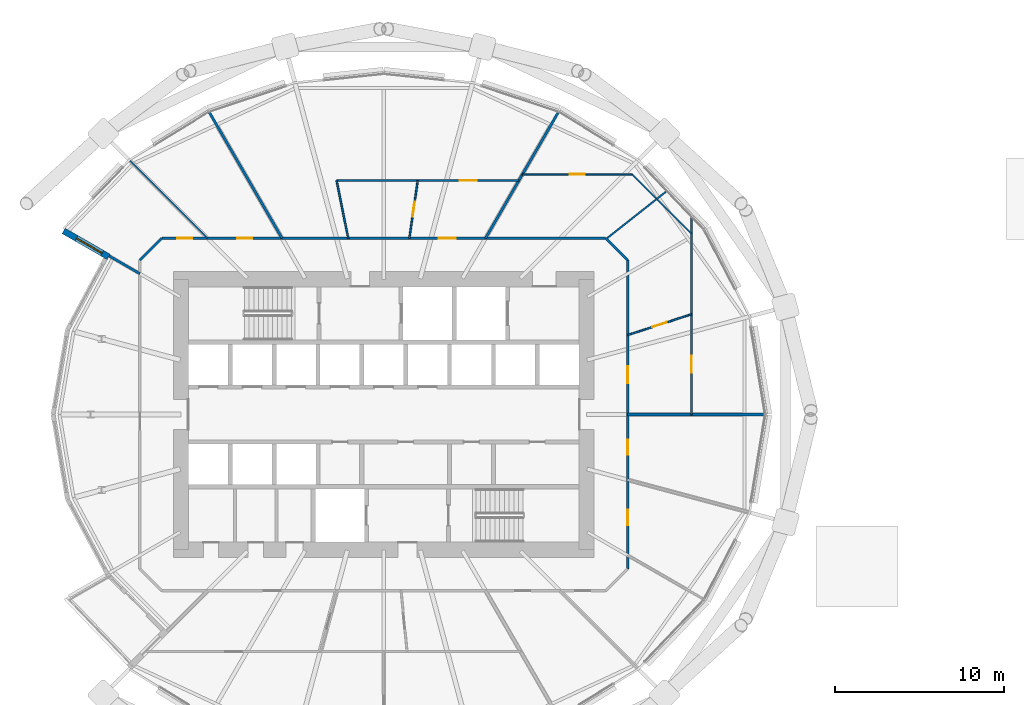
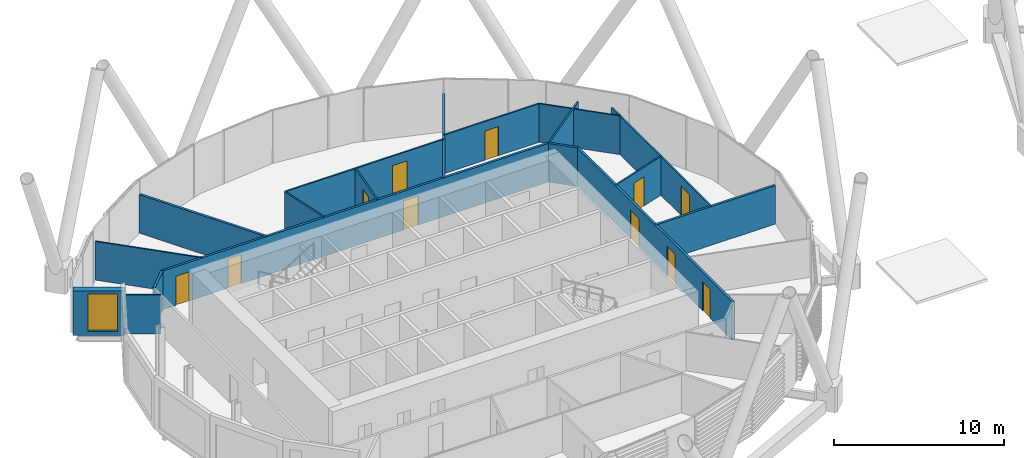
# One storey, part 24 of 34: 18 walls, 11 doors, 1 window, 12 openings.
"""IFC4 building model written with IfcOpenShell, lengths in metres."""

from ifc_helpers import new_model, si_unit, direction, frame, frame_2d, origin, place, context, subcontext, project, spatial, rectangle, extrude, material, layer, layer_set, type_object, element, fill, save


model = new_model("IFC4")

# Units and contexts
model_context = context("Model", 3, precision=1e-05, world=origin(), true_north=direction((0.0, 1.0)))
body_context = subcontext(model_context, "Body", "Model", "MODEL_VIEW")
ifc_project = project(units=[si_unit("LENGTHUNIT", "METRE"), si_unit("AREAUNIT", "SQUARE_METRE"), si_unit("VOLUMEUNIT", "CUBIC_METRE"), si_unit("PLANEANGLEUNIT", "RADIAN"), si_unit("MASSUNIT", "GRAM", prefix="KILO")], contexts=[model_context])

# Site, building, storey
site_placement = place(None, origin())
site = spatial("IfcSite", under=ifc_project, at=site_placement, CompositionType="ELEMENT")
building_placement = place(site_placement, origin())
building = spatial("IfcBuilding", under=site, at=building_placement, Name="Rimbun Link Towers", CompositionType="ELEMENT")
storey_placement = place(building_placement, frame((0.0, 0.0, 41.39990234375)))
storey = spatial("IfcBuildingStorey", under=building, at=storey_placement, Name="L09", CompositionType="ELEMENT", Elevation=41.39990234375)

# Wall, opening, window
ifc_material_1 = material(Name="Dark enamelled glass spandrel on insulated aluminium backpan", Category="aluminium")
ifc_layer_1 = layer(ifc_material_1, 0.3701171875)
ifc_layer_set_1 = layer_set([ifc_layer_1], Name="CS dark enamelled spandrel wall 370")
wall_type_1 = type_object("IfcWallType", Name="CS dark enamelled spandrel wall 370", PredefinedType="STANDARD", material=ifc_layer_set_1)
wall_1_placement = place(storey_placement, frame((-48.02685546875, 9.322509765625, 0.0), z_axis=(0.0, 0.0, 1.0), x_axis=(-0.866064153644, 0.499932877268, 0.0)))
wall_1 = element("IfcWall", 1, at=wall_1_placement, inside=storey, type_object=wall_type_1, Name="Crease spandrel wall", PredefinedType="STANDARD", context=body_context, shape_type="SweptSolid", body=[
    extrude(rectangle(XDim=3.080078125, YDim=0.3701171875, at=frame_2d((1.5400390625, 0.0))), origin(), (0.0, 0.0, 1.0), 3.2236328125),
])
opening_1_placement = place(wall_1_placement, frame((0.444091796875, 0.0, 0.300048828125)))
opening_1 = element("IfcOpeningElement", 2, at=opening_1_placement, cuts=wall_1, Name="Opening WR18H270", PredefinedType="OPENING", context=body_context, shape_type="SweptSolid", body=[
    extrude(rectangle(XDim=1.75, YDim=2.699951171875, at=frame_2d((0.875, 1.35009765625))), frame((0.0, 0.195068359375, 0.0), z_axis=(0.0, -1.0, 0.0), x_axis=(1.0, 0.0, 0.0)), (0.0, 0.0, 1.0), 0.39013671875),
])
ifc_material_2 = material(Name="Aluminium framed fixed window, dark tinted low-e glass", Category="aluminium")
window_type = type_object("IfcWindowType", Name="WR ribbon window 1750X2700", PartitioningType="SINGLE_PANEL", PredefinedType="WINDOW", material=ifc_material_2)
window_placement = place(opening_1_placement, origin())
window = element("IfcWindow", 3, at=window_placement, inside=storey, type_object=window_type, Name="Crease ribbon window", OverallHeight=2.699951171875, OverallWidth=1.75, PartitioningType="SINGLE_PANEL", PredefinedType="WINDOW", context=body_context, shape_type="SweptSolid", body=[
    extrude(rectangle(XDim=1.75, YDim=2.699951171875, at=frame_2d((0.875, 1.35009765625))), frame((0.0, 0.030029296875, 0.0), z_axis=(0.0, -1.0, 0.0), x_axis=(1.0, 0.0, 0.0)), (0.0, 0.0, 1.0), 0.06005859375),
])
fill(opening_1, window)

# Wall, openings, doors
ifc_material_3 = material(Name="Plasterboard on steel stud, mineral wool", Category="steel")
ifc_layer_2 = layer(ifc_material_3, 0.14990234375)
ifc_layer_set_2 = layer_set([ifc_layer_2], Name="Corridor wall EI 30 150 mm")
wall_type_2 = type_object("IfcWallType", Name="Corridor wall EI 30 150 mm", PredefinedType="PARTITIONING", material=ifc_layer_set_2)
wall_2_placement = place(storey_placement, frame((-44.876708984375, 10.425048828125, 0.0), z_axis=(0.0, 0.0, 1.0), x_axis=(1.0, 0.0, 0.0)))
wall_2 = element("IfcWall", 4, at=wall_2_placement, inside=storey, type_object=wall_type_2, Name="Corridor wall EI 30 150 mm", PredefinedType="PARTITIONING", context=body_context, shape_type="SweptSolid", body=[
    extrude(rectangle(XDim=26.25341796875, YDim=0.14990234375, at=frame_2d((13.126708984375, 0.0))), origin(), (0.0, 0.0, 1.0), 2.779052734375),
])
opening_2_placement = place(wall_2_placement, frame((16.392822265625, 0.0, 0.0)))
opening_2 = element("IfcOpeningElement", 5, at=opening_2_placement, cuts=wall_2, Name="Opening D01", PredefinedType="OPENING", context=body_context, shape_type="SweptSolid", body=[
    extrude(rectangle(XDim=1.0, YDim=2.10009765625, at=frame_2d((0.5, 1.050048828125))), frame((0.0, 0.0849609375, 0.0), z_axis=(0.0, -1.0, 0.0), x_axis=(1.0, 0.0, 0.0)), (0.0, 0.0, 1.0), 0.169921875),
])
opening_3_placement = place(wall_2_placement, frame((4.454833984375, 0.0, 0.0)))
opening_3 = element("IfcOpeningElement", 6, at=opening_3_placement, cuts=wall_2, Name="Opening D02", PredefinedType="OPENING", context=body_context, shape_type="SweptSolid", body=[
    extrude(rectangle(XDim=0.89990234375, YDim=2.10009765625, at=frame_2d((0.449951171875, 1.050048828125))), frame((0.0, 0.0849609375, 0.0), z_axis=(0.0, -1.0, 0.0), x_axis=(1.0, 0.0, 0.0)), (0.0, 0.0, 1.0), 0.169921875),
])
opening_4_placement = place(wall_2_placement, frame((0.90087890625, 0.0, 0.0)))
opening_4 = element("IfcOpeningElement", 7, at=opening_4_placement, cuts=wall_2, Name="Opening D02", PredefinedType="OPENING", context=body_context, shape_type="SweptSolid", body=[
    extrude(rectangle(XDim=0.89990234375, YDim=2.10009765625, at=frame_2d((0.449951171875, 1.050048828125))), frame((0.0, 0.0849609375, 0.0), z_axis=(0.0, -1.0, 0.0), x_axis=(1.0, 0.0, 0.0)), (0.0, 0.0, 1.0), 0.169921875),
])
ifc_material_4 = material(Name="Fire-resisting timber door leaf", Category="wood")
door_type_1 = type_object("IfcDoorType", Name="Fire door FD30S 1000", OperationType="NOTDEFINED", PredefinedType="DOOR", material=ifc_material_4)
door_1_placement = place(opening_2_placement, origin())
door_1 = element("IfcDoor", 8, at=door_1_placement, inside=storey, type_object=door_type_1, Name="Fire door FD30S 1000 to Reception", OperationType="SINGLE_SWING_LEFT", OverallHeight=2.10009765625, OverallWidth=1.0, PredefinedType="DOOR", context=body_context, shape_type="SweptSolid", body=[
    extrude(rectangle(XDim=1.0, YDim=2.10009765625, at=frame_2d((0.5, 1.050048828125))), frame((0.0, 0.02490234375, 0.0), z_axis=(0.0, -1.0, 0.0), x_axis=(1.0, 0.0, 0.0)), (0.0, 0.0, 1.0), 0.050048828125),
])
fill(opening_2, door_1)
ifc_material_5 = material(Name="Fire-resisting timber door leaf", Category="wood")
door_type_2 = type_object("IfcDoorType", Name="Fire door FD30S 900", OperationType="NOTDEFINED", PredefinedType="DOOR", material=ifc_material_5)
door_2_placement = place(opening_3_placement, origin())
door_2 = element("IfcDoor", 9, at=door_2_placement, inside=storey, type_object=door_type_2, Name="Fire door FD30S 900 to Cellular office", OperationType="SINGLE_SWING_RIGHT", OverallHeight=2.10009765625, OverallWidth=0.89990234375, PredefinedType="DOOR", context=body_context, shape_type="SweptSolid", body=[
    extrude(rectangle(XDim=0.89990234375, YDim=2.10009765625, at=frame_2d((0.449951171875, 1.050048828125))), frame((0.0, 0.02490234375, 0.0), z_axis=(0.0, -1.0, 0.0), x_axis=(1.0, 0.0, 0.0)), (0.0, 0.0, 1.0), 0.050048828125),
])
fill(opening_3, door_2)
door_3_placement = place(opening_4_placement, origin())
door_3 = element("IfcDoor", 10, at=door_3_placement, inside=storey, type_object=door_type_2, Name="Fire door FD30S 900 to Cellular office", OperationType="SINGLE_SWING_LEFT", OverallHeight=2.10009765625, OverallWidth=0.89990234375, PredefinedType="DOOR", context=body_context, shape_type="SweptSolid", body=[
    extrude(rectangle(XDim=0.89990234375, YDim=2.10009765625, at=frame_2d((0.449951171875, 1.050048828125))), frame((0.0, 0.02490234375, 0.0), z_axis=(0.0, -1.0, 0.0), x_axis=(1.0, 0.0, 0.0)), (0.0, 0.0, 1.0), 0.050048828125),
])
fill(opening_4, door_3)

# Wall
wall_3_placement = place(storey_placement, frame((-17.324951171875, 9.126708984375, 0.0), z_axis=(0.0, 0.0, 1.0), x_axis=(-0.707106781187, 0.707106781187, 0.0)))
element("IfcWall", 11, at=wall_3_placement, inside=storey, type_object=wall_type_2, Name="Corridor wall EI 30 150 mm", PredefinedType="PARTITIONING", context=body_context, shape_type="SweptSolid", body=[
    extrude(rectangle(XDim=1.836181640625, YDim=0.14990234375, at=frame_2d((0.91796875, 0.0))), origin(), (0.0, 0.0, 1.0), 2.779052734375),
])

# Wall, openings, doors
wall_4_placement = place(storey_placement, frame((-17.324951171875, 9.126708984375, 0.0), z_axis=(0.0, 0.0, 1.0), x_axis=(0.0, -1.0, 0.0)))
wall_4 = element("IfcWall", 12, at=wall_4_placement, inside=storey, type_object=wall_type_2, Name="Corridor wall EI 30 150 mm", PredefinedType="PARTITIONING", context=body_context, shape_type="SweptSolid", body=[
    extrude(rectangle(XDim=18.25341796875, YDim=0.14990234375, at=frame_2d((9.126708984375, 0.0))), origin(), (0.0, 0.0, 1.0), 2.779052734375),
])
opening_5_placement = place(wall_4_placement, frame((14.7734375, 0.0, 0.0)))
opening_5 = element("IfcOpeningElement", 13, at=opening_5_placement, cuts=wall_4, Name="Opening D02", PredefinedType="OPENING", context=body_context, shape_type="SweptSolid", body=[
    extrude(rectangle(XDim=0.89990234375, YDim=2.10009765625, at=frame_2d((0.449951171875, 1.050048828125))), frame((0.0, 0.0849609375, 0.0), z_axis=(0.0, -1.0, 0.0), x_axis=(1.0, 0.0, 0.0)), (0.0, 0.0, 1.0), 0.169921875),
])
opening_6_placement = place(wall_4_placement, frame((10.609375, 0.0, 0.0)))
opening_6 = element("IfcOpeningElement", 14, at=opening_6_placement, cuts=wall_4, Name="Opening D02", PredefinedType="OPENING", context=body_context, shape_type="SweptSolid", body=[
    extrude(rectangle(XDim=0.89990234375, YDim=2.10009765625, at=frame_2d((0.449951171875, 1.050048828125))), frame((0.0, 0.0849609375, 0.0), z_axis=(0.0, -1.0, 0.0), x_axis=(1.0, 0.0, 0.0)), (0.0, 0.0, 1.0), 0.169921875),
])
opening_7_placement = place(wall_4_placement, frame((6.277587890625, 0.0, 0.0)))
opening_7 = element("IfcOpeningElement", 15, at=opening_7_placement, cuts=wall_4, Name="Opening D01", PredefinedType="OPENING", context=body_context, shape_type="SweptSolid", body=[
    extrude(rectangle(XDim=1.0, YDim=2.10009765625, at=frame_2d((0.5, 1.050048828125))), frame((0.0, 0.0849609375, 0.0), z_axis=(0.0, -1.0, 0.0), x_axis=(1.0, 0.0, 0.0)), (0.0, 0.0, 1.0), 0.169921875),
])
door_4_placement = place(opening_7_placement, origin())
door_4 = element("IfcDoor", 16, at=door_4_placement, inside=storey, type_object=door_type_1, Name="Fire door FD30S 1000 to Customer lobby", OperationType="SINGLE_SWING_RIGHT", OverallHeight=2.10009765625, OverallWidth=1.0, PredefinedType="DOOR", context=body_context, shape_type="SweptSolid", body=[
    extrude(rectangle(XDim=1.0, YDim=2.10009765625, at=frame_2d((0.5, 1.050048828125))), frame((0.0, 0.02490234375, 0.0), z_axis=(0.0, -1.0, 0.0), x_axis=(1.0, 0.0, 0.0)), (0.0, 0.0, 1.0), 0.050048828125),
])
fill(opening_7, door_4)
door_5_placement = place(opening_5_placement, origin())
door_5 = element("IfcDoor", 17, at=door_5_placement, inside=storey, type_object=door_type_2, Name="Fire door FD30S 900 to Cellular office", OperationType="SINGLE_SWING_RIGHT", OverallHeight=2.10009765625, OverallWidth=0.89990234375, PredefinedType="DOOR", context=body_context, shape_type="SweptSolid", body=[
    extrude(rectangle(XDim=0.89990234375, YDim=2.10009765625, at=frame_2d((0.449951171875, 1.050048828125))), frame((0.0, 0.02490234375, 0.0), z_axis=(0.0, -1.0, 0.0), x_axis=(1.0, 0.0, 0.0)), (0.0, 0.0, 1.0), 0.050048828125),
])
fill(opening_5, door_5)
door_6_placement = place(opening_6_placement, origin())
door_6 = element("IfcDoor", 18, at=door_6_placement, inside=storey, type_object=door_type_2, Name="Fire door FD30S 900 to Meeting room", OperationType="SINGLE_SWING_LEFT", OverallHeight=2.10009765625, OverallWidth=0.89990234375, PredefinedType="DOOR", context=body_context, shape_type="SweptSolid", body=[
    extrude(rectangle(XDim=0.89990234375, YDim=2.10009765625, at=frame_2d((0.449951171875, 1.050048828125))), frame((0.0, 0.02490234375, 0.0), z_axis=(0.0, -1.0, 0.0), x_axis=(1.0, 0.0, 0.0)), (0.0, 0.0, 1.0), 0.050048828125),
])
fill(opening_6, door_6)

# Wall
wall_5_placement = place(storey_placement, frame((-44.876708984375, 10.425048828125, 0.0), z_axis=(0.0, 0.0, 1.0), x_axis=(-0.707106781187, -0.707106781187, 0.0)))
element("IfcWall", 19, at=wall_5_placement, inside=storey, type_object=wall_type_2, Name="Corridor wall EI 30 150 mm", PredefinedType="PARTITIONING", context=body_context, shape_type="SweptSolid", body=[
    extrude(rectangle(XDim=1.836181640625, YDim=0.14990234375, at=frame_2d((0.91796875, 0.0))), origin(), (0.0, 0.0, 1.0), 2.779052734375),
])

# Wall, opening, door
ifc_material_6 = material(Name="Plasterboard on steel stud", Category="steel")
ifc_layer_3 = layer(ifc_material_6, 0.10009765625)
ifc_layer_set_3 = layer_set([ifc_layer_3], Name="Plasterboard partition 100 mm")
wall_type_3 = type_object("IfcWallType", Name="Plasterboard partition 100 mm", PredefinedType="PARTITIONING", material=ifc_layer_set_3)
wall_6_placement = place(storey_placement, frame((-17.324951171875, 4.697998046875, 0.0), z_axis=(0.0, 0.0, 1.0), x_axis=(0.950834848198, 0.309698387875, 0.0)))
wall_6 = element("IfcWall", 20, at=wall_6_placement, inside=storey, type_object=wall_type_3, Name="Plasterboard partition 100 mm", PredefinedType="PARTITIONING", context=body_context, shape_type="SweptSolid", body=[
    extrude(rectangle(XDim=3.9755859375, YDim=0.10009765625, at=frame_2d((1.98779296875, 0.0))), origin(), (0.0, 0.0, 1.0), 2.779052734375),
])
opening_8_placement = place(wall_6_placement, frame((1.53759765625, 0.0, 0.0)))
opening_8 = element("IfcOpeningElement", 21, at=opening_8_placement, cuts=wall_6, Name="Opening D04", PredefinedType="OPENING", context=body_context, shape_type="SweptSolid", body=[
    extrude(rectangle(XDim=0.89990234375, YDim=2.10009765625, at=frame_2d((0.449951171875, 1.050048828125))), frame((0.0, 0.06005859375, 0.0), z_axis=(0.0, -1.0, 0.0), x_axis=(1.0, 0.0, 0.0)), (0.0, 0.0, 1.0), 0.1201171875),
])
ifc_material_7 = material(Name="Timber door leaf", Category="wood")
door_type_3 = type_object("IfcDoorType", Name="Flush door 900", OperationType="NOTDEFINED", PredefinedType="DOOR", material=ifc_material_7)
door_7_placement = place(opening_8_placement, origin())
door_7 = element("IfcDoor", 22, at=door_7_placement, inside=storey, type_object=door_type_3, Name="Flush door 900 to Interview room", OperationType="SINGLE_SWING_RIGHT", OverallHeight=2.10009765625, OverallWidth=0.89990234375, PredefinedType="DOOR", context=body_context, shape_type="SweptSolid", body=[
    extrude(rectangle(XDim=0.89990234375, YDim=2.10009765625, at=frame_2d((0.449951171875, 1.050048828125))), frame((0.0, 0.02490234375, 0.0), z_axis=(0.0, -1.0, 0.0), x_axis=(1.0, 0.0, 0.0)), (0.0, 0.0, 1.0), 0.050048828125),
])
fill(opening_8, door_7)

wall_7_placement = place(storey_placement, frame((-13.544921875, 11.698974609375, 0.0), z_axis=(0.0, 0.0, 1.0), x_axis=(0.0, -1.0, 0.0)))
wall_7 = element("IfcWall", 23, at=wall_7_placement, inside=storey, type_object=wall_type_3, Name="Plasterboard partition 100 mm", PredefinedType="PARTITIONING", context=body_context, shape_type="SweptSolid", body=[
    extrude(rectangle(XDim=11.698974609375, YDim=0.10009765625, at=frame_2d((5.849609375, 0.0))), origin(), (0.0, 0.0, 1.0), 2.779052734375),
])
opening_9_placement = place(wall_7_placement, frame((8.219482421875, 0.0, 0.0)))
opening_9 = element("IfcOpeningElement", 24, at=opening_9_placement, cuts=wall_7, Name="Opening D03", PredefinedType="OPENING", context=body_context, shape_type="SweptSolid", body=[
    extrude(rectangle(XDim=1.0, YDim=2.10009765625, at=frame_2d((0.5, 1.050048828125))), frame((0.0, 0.06005859375, 0.0), z_axis=(0.0, -1.0, 0.0), x_axis=(1.0, 0.0, 0.0)), (0.0, 0.0, 1.0), 0.1201171875),
])
ifc_material_8 = material(Name="Timber door leaf", Category="wood")
door_type_4 = type_object("IfcDoorType", Name="Flush door 1000", OperationType="NOTDEFINED", PredefinedType="DOOR", material=ifc_material_8)
door_8_placement = place(opening_9_placement, origin())
door_8 = element("IfcDoor", 25, at=door_8_placement, inside=storey, type_object=door_type_4, Name="Flush door 1000 to Banking hall", OperationType="SINGLE_SWING_LEFT", OverallHeight=2.10009765625, OverallWidth=1.0, PredefinedType="DOOR", context=body_context, shape_type="SweptSolid", body=[
    extrude(rectangle(XDim=1.0, YDim=2.10009765625, at=frame_2d((0.5, 1.050048828125))), frame((0.0, 0.02490234375, 0.0), z_axis=(0.0, -1.0, 0.0), x_axis=(1.0, 0.0, 0.0)), (0.0, 0.0, 1.0), 0.050048828125),
])
fill(opening_9, door_8)

# Walls
wall_8_placement = place(storey_placement, frame((-15.001220703125, 13.224365234375, 0.0), z_axis=(0.0, 0.0, 1.0), x_axis=(-0.784848593056, -0.619687571263, 0.0)))
element("IfcWall", 26, at=wall_8_placement, inside=storey, type_object=wall_type_3, Name="Plasterboard partition 100 mm", PredefinedType="PARTITIONING", context=body_context, shape_type="SweptSolid", body=[
    extrude(rectangle(XDim=4.572021484375, YDim=0.10009765625, at=frame_2d((2.2861328125, 0.0))), origin(), (0.0, 0.0, 1.0), 2.779052734375),
])
wall_9_placement = place(storey_placement, frame((-13.544921875, 10.6923828125, 0.0), z_axis=(0.0, 0.0, 1.0), x_axis=(-0.707106781187, 0.707106781187, 0.0)))
element("IfcWall", 27, at=wall_9_placement, inside=storey, type_object=wall_type_3, Name="Plasterboard partition 100 mm", PredefinedType="PARTITIONING", context=body_context, shape_type="SweptSolid", body=[
    extrude(rectangle(XDim=4.9677734375, YDim=0.10009765625, at=frame_2d((2.48388671875, 0.0))), origin(), (0.0, 0.0, 1.0), 2.779052734375),
])

# Wall, opening, door
wall_10_placement = place(storey_placement, frame((-17.0576171875, 14.205078125, 0.0), z_axis=(0.0, 0.0, 1.0), x_axis=(-1.0, 0.0, 0.0)))
wall_10 = element("IfcWall", 28, at=wall_10_placement, inside=storey, type_object=wall_type_3, Name="Plasterboard partition 100 mm", PredefinedType="PARTITIONING", context=body_context, shape_type="SweptSolid", body=[
    extrude(rectangle(XDim=6.4912109375, YDim=0.10009765625, at=frame_2d((3.24560546875, 0.0))), origin(), (0.0, 0.0, 1.0), 2.779052734375),
])
opening_10_placement = place(wall_10_placement, frame((2.795654296875, 0.0, 0.0)))
opening_10 = element("IfcOpeningElement", 29, at=opening_10_placement, cuts=wall_10, Name="Opening D04", PredefinedType="OPENING", context=body_context, shape_type="SweptSolid", body=[
    extrude(rectangle(XDim=0.89990234375, YDim=2.10009765625, at=frame_2d((0.449951171875, 1.050048828125))), frame((0.0, 0.06005859375, 0.0), z_axis=(0.0, -1.0, 0.0), x_axis=(1.0, 0.0, 0.0)), (0.0, 0.0, 1.0), 0.1201171875),
])
door_9_placement = place(opening_10_placement, origin())
door_9 = element("IfcDoor", 30, at=door_9_placement, inside=storey, type_object=door_type_3, Name="Flush door 900 to Strong room", OperationType="SINGLE_SWING_RIGHT", OverallHeight=2.10009765625, OverallWidth=0.89990234375, PredefinedType="DOOR", context=body_context, shape_type="SweptSolid", body=[
    extrude(rectangle(XDim=0.89990234375, YDim=2.10009765625, at=frame_2d((0.449951171875, 1.050048828125))), frame((0.0, 0.02490234375, 0.0), z_axis=(0.0, -1.0, 0.0), x_axis=(1.0, 0.0, 0.0)), (0.0, 0.0, 1.0), 0.050048828125),
])
fill(opening_10, door_9)

wall_11_placement = place(storey_placement, frame((-30.236328125, 10.425048828125, 0.0), z_axis=(0.0, 0.0, 1.0), x_axis=(0.143695813328, 0.98962190418, 0.0)))
wall_11 = element("IfcWall", 31, at=wall_11_placement, inside=storey, type_object=wall_type_3, Name="Plasterboard partition 100 mm", PredefinedType="PARTITIONING", context=body_context, shape_type="SweptSolid", body=[
    extrude(rectangle(XDim=3.455810546875, YDim=0.10009765625, at=frame_2d((1.72802734375, 0.0))), origin(), (0.0, 0.0, 1.0), 2.779052734375),
])
opening_11_placement = place(wall_11_placement, frame((1.27783203125, 0.0, 0.0)))
opening_11 = element("IfcOpeningElement", 32, at=opening_11_placement, cuts=wall_11, Name="Opening D04", PredefinedType="OPENING", context=body_context, shape_type="SweptSolid", body=[
    extrude(rectangle(XDim=0.89990234375, YDim=2.10009765625, at=frame_2d((0.449951171875, 1.050048828125))), frame((0.0, 0.06005859375, 0.0), z_axis=(0.0, -1.0, 0.0), x_axis=(1.0, 0.0, 0.0)), (0.0, 0.0, 1.0), 0.1201171875),
])
door_10_placement = place(opening_11_placement, origin())
door_10 = element("IfcDoor", 33, at=door_10_placement, inside=storey, type_object=door_type_3, Name="Flush door 900 to Meeting room", OperationType="SINGLE_SWING_RIGHT", OverallHeight=2.10009765625, OverallWidth=0.89990234375, PredefinedType="DOOR", context=body_context, shape_type="SweptSolid", body=[
    extrude(rectangle(XDim=0.89990234375, YDim=2.10009765625, at=frame_2d((0.449951171875, 1.050048828125))), frame((0.0, 0.02490234375, 0.0), z_axis=(0.0, -1.0, 0.0), x_axis=(1.0, 0.0, 0.0)), (0.0, 0.0, 1.0), 0.050048828125),
])
fill(opening_11, door_10)

wall_12_placement = place(storey_placement, frame((-34.54296875, 13.844970703125, 0.0), z_axis=(0.0, 0.0, 1.0), x_axis=(1.0, 0.0, 0.0)))
wall_12 = element("IfcWall", 34, at=wall_12_placement, inside=storey, type_object=wall_type_3, Name="Plasterboard partition 100 mm", PredefinedType="PARTITIONING", context=body_context, shape_type="SweptSolid", body=[
    extrude(rectangle(XDim=10.786376953125, YDim=0.10009765625, at=frame_2d((5.39306640625, 0.0))), origin(), (0.0, 0.0, 1.0), 2.779052734375),
])
opening_12_placement = place(wall_12_placement, frame((7.279541015625, 0.0, 0.0)))
opening_12 = element("IfcOpeningElement", 35, at=opening_12_placement, cuts=wall_12, Name="Opening D03", PredefinedType="OPENING", context=body_context, shape_type="SweptSolid", body=[
    extrude(rectangle(XDim=1.0, YDim=2.10009765625, at=frame_2d((0.5, 1.050048828125))), frame((0.0, 0.06005859375, 0.0), z_axis=(0.0, -1.0, 0.0), x_axis=(1.0, 0.0, 0.0)), (0.0, 0.0, 1.0), 0.1201171875),
])
door_11_placement = place(opening_12_placement, origin())
door_11 = element("IfcDoor", 36, at=door_11_placement, inside=storey, type_object=door_type_4, Name="Flush door 1000 to Open office", OperationType="SINGLE_SWING_LEFT", OverallHeight=2.10009765625, OverallWidth=1.0, PredefinedType="DOOR", context=body_context, shape_type="SweptSolid", body=[
    extrude(rectangle(XDim=1.0, YDim=2.10009765625, at=frame_2d((0.5, 1.050048828125))), frame((0.0, 0.02490234375, 0.0), z_axis=(0.0, -1.0, 0.0), x_axis=(1.0, 0.0, 0.0)), (0.0, 0.0, 1.0), 0.050048828125),
])
fill(opening_12, door_11)

# Walls
wall_13_placement = place(storey_placement, frame((-34.54296875, 13.844970703125, 0.0), z_axis=(0.0, 0.0, 1.0), x_axis=(0.197757650316, -0.98025094325, 0.0)))
element("IfcWall", 37, at=wall_13_placement, inside=storey, type_object=wall_type_3, Name="Plasterboard partition 100 mm", PredefinedType="PARTITIONING", context=body_context, shape_type="SweptSolid", body=[
    extrude(rectangle(XDim=3.48876953125, YDim=0.10009765625, at=frame_2d((1.744384765625, 0.0))), origin(), (0.0, 0.0, 1.0), 2.779052734375),
])
wall_14_placement = place(storey_placement, frame((-46.76318359375, 15.01318359375, 0.0), z_axis=(0.0, 0.0, 1.0), x_axis=(0.707106781187, -0.707106781187, 0.0)))
element("IfcWall", 38, at=wall_14_placement, inside=storey, type_object=wall_type_3, Name="Plasterboard partition 100 mm", PredefinedType="PARTITIONING", context=body_context, shape_type="SweptSolid", body=[
    extrude(rectangle(XDim=6.488525390625, YDim=0.10009765625, at=frame_2d((3.244140625, 0.0))), origin(), (0.0, 0.0, 1.0), 2.779052734375),
])
ifc_material_9 = material(Name="Plasterboard on steel stud, mineral wool", Category="steel")
ifc_layer_4 = layer(ifc_material_9, 0.14990234375)
ifc_layer_set_4 = layer_set([ifc_layer_4], Name="Tenancy separation wall EI 60 150 mm")
wall_type_4 = type_object("IfcWallType", Name="Tenancy separation wall EI 60 150 mm", PredefinedType="PARTITIONING", material=ifc_layer_set_4)
wall_15_placement = place(storey_placement, frame((-17.324951171875, 0.0, 0.0), z_axis=(0.0, 0.0, 1.0), x_axis=(1.0, 0.0, 0.0)))
element("IfcWall", 39, at=wall_15_placement, inside=storey, type_object=wall_type_4, Name="Tenancy separation wall EI 60 150 mm", PredefinedType="PARTITIONING", context=body_context, shape_type="SweptSolid", body=[
    extrude(rectangle(XDim=8.11669921875, YDim=0.14990234375, at=frame_2d((4.058349609375, 0.0))), origin(), (0.0, 0.0, 1.0), 2.779052734375),
])
for number, where, z_axis, x_axis, name in (
    (40, (-25.731201171875, 10.425048828125, 0.0), (0.0, 0.0, 1.0), (0.500010951303, 0.866019080954, 0.0), "Tenancy separation wall EI 60 150 mm"),
    (41, (-37.768798828125, 10.425048828125, 0.0), (0.0, 0.0, 1.0), (-0.500010951303, 0.866019080954, 0.0), "Tenancy separation wall EI 60 150 mm"),
):
    element("IfcWall", number, at=place(storey_placement, frame(where, z_axis=z_axis, x_axis=x_axis)), inside=storey, type_object=wall_type_4, Name=name, PredefinedType="PARTITIONING", context=body_context, shape_type="SweptSolid", body=[
        extrude(rectangle(XDim=8.619384765625, YDim=0.14990234375, at=frame_2d((4.3095703125, 0.0))), origin(), (0.0, 0.0, 1.0), 2.779052734375),
    ])
wall_16_placement = place(storey_placement, frame((-46.175048828125, 8.328369140625, 0.0), z_axis=(0.0, 0.0, 1.0), x_axis=(-0.866046247233, 0.49996389635, 0.0)))
element("IfcWall", 42, at=wall_16_placement, inside=storey, type_object=wall_type_4, Name="Tenancy separation wall EI 60 150 mm", PredefinedType="PARTITIONING", context=body_context, shape_type="SweptSolid", body=[
    extrude(rectangle(XDim=2.100830078125, YDim=0.14990234375, at=frame_2d((1.05029296875, 0.0))), origin(), (0.0, 0.0, 1.0), 2.779052734375),
])

save(model, "model.ifc")
